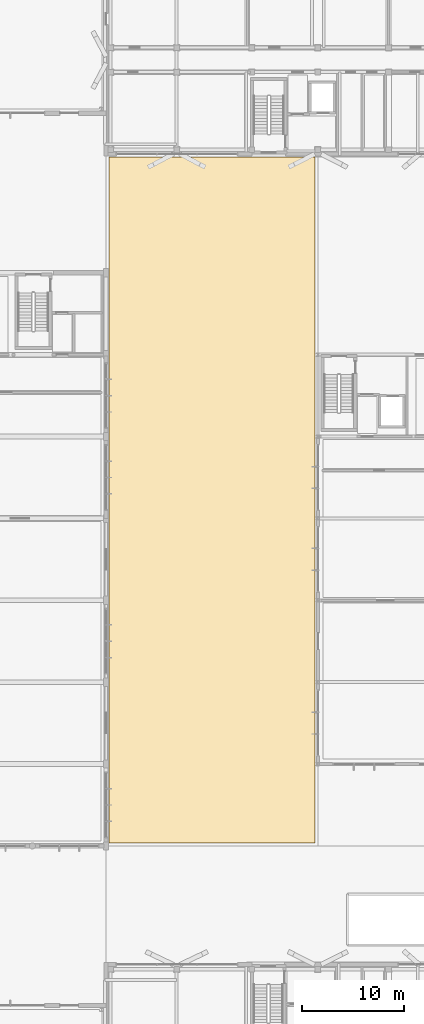
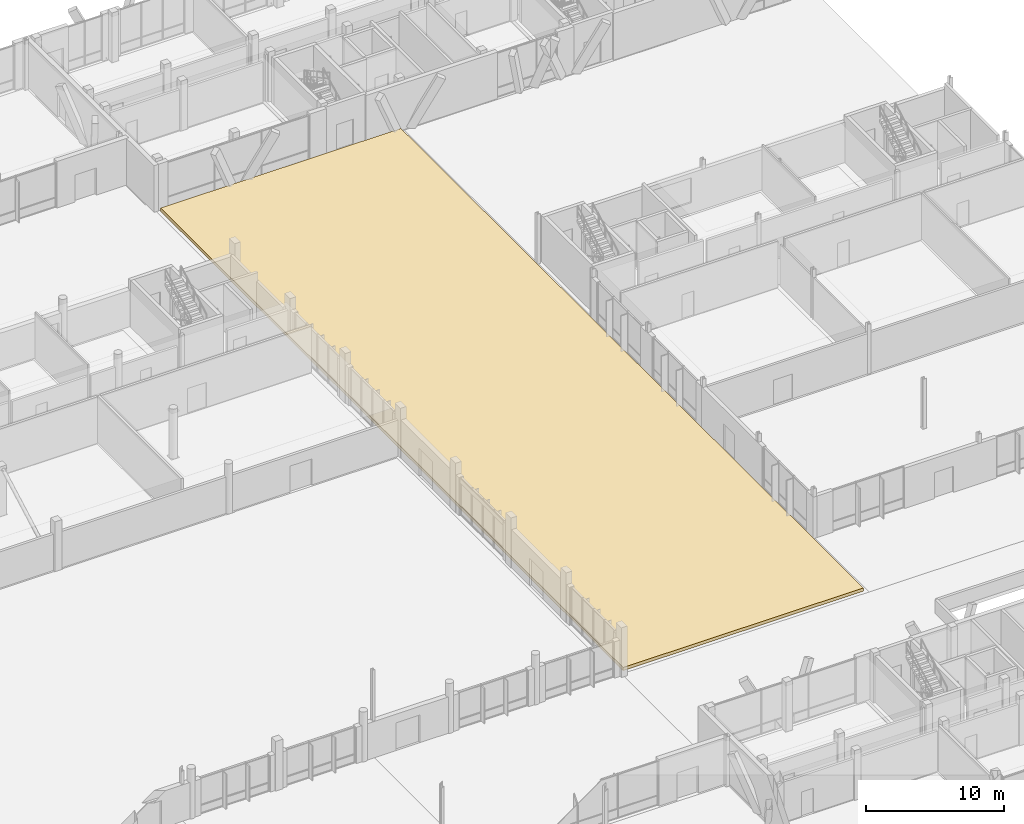
# One storey, part 223 of 233: 1 covering.
"""IFC4 building model written with IfcOpenShell, lengths in metres."""

from ifc_helpers import new_model, si_unit, direction, origin, place, context, subcontext, project, spatial, polyline, outline, extrude, material, layer, layer_set, type_object, element, save


model = new_model("IFC4")

# Units and contexts
model_context = context("Model", 3, precision=1e-05, world=origin(), true_north=direction((0.0, 1.0)))
body_context = subcontext(model_context, "Body", "Model", "MODEL_VIEW")
ifc_project = project(units=[si_unit("LENGTHUNIT", "METRE"), si_unit("AREAUNIT", "SQUARE_METRE"), si_unit("VOLUMEUNIT", "CUBIC_METRE"), si_unit("PLANEANGLEUNIT", "RADIAN"), si_unit("MASSUNIT", "GRAM", prefix="KILO")], contexts=[model_context])

# Site, building, storey
site_placement = place(None, origin())
site = spatial("IfcSite", under=ifc_project, at=site_placement, CompositionType="ELEMENT")
building_placement = place(site_placement, origin())
building = spatial("IfcBuilding", under=site, at=building_placement, Name="Zavelmont Quarter", CompositionType="ELEMENT")
storey_placement = place(building_placement, origin())
storey = spatial("IfcBuildingStorey", under=building, at=storey_placement, Name="L00", CompositionType="ELEMENT", Elevation=0.0)

# Covering
ifc_material = material(Name="EPDM waterproofing membrane and mineral insulation")
ifc_layer = layer(ifc_material, 0.280029296875)
ifc_layer_set = layer_set([ifc_layer], Name="EPDM waterproofing membrane and mineral insulation")
covering_type = type_object("IfcCoveringType", Name="CV-RF02", PredefinedType="ROOFING", material=ifc_layer_set)
covering_placement = place(storey_placement, origin())
element("IfcCovering", 1, at=covering_placement, inside=storey, type_object=covering_type, Name="L00 roof build-up CV-RF02", PredefinedType="ROOFING", context=body_context, shape_type="SweptSolid", body=[
    extrude(outline(polyline([(113.10009765625, 30.300048828125), (133.199951171875, 30.300048828125), (133.199951171875, 97.300048828125), (113.10009765625, 97.300048828125), (113.10009765625, 30.300048828125)])), origin(), (0.0, 0.0, 1.0), 0.280029296875),
])

save(model, "model.ifc")
